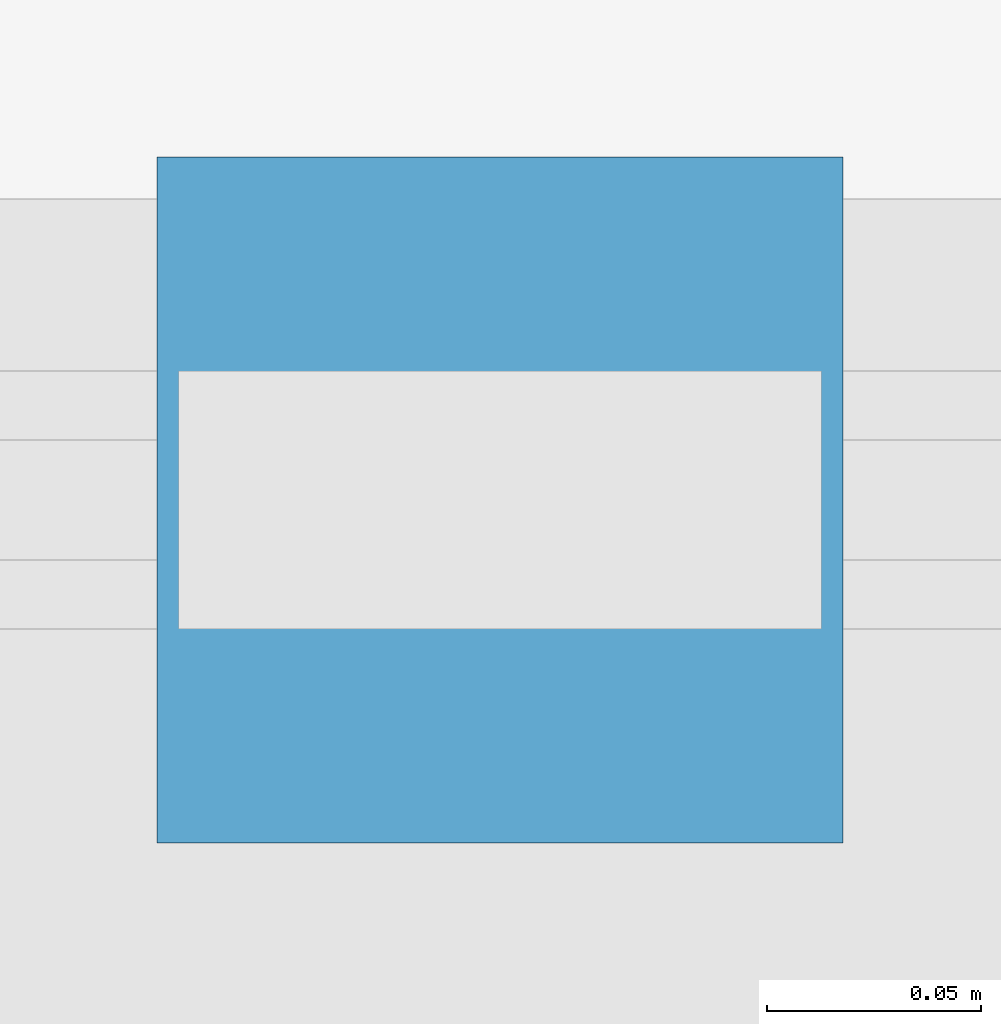
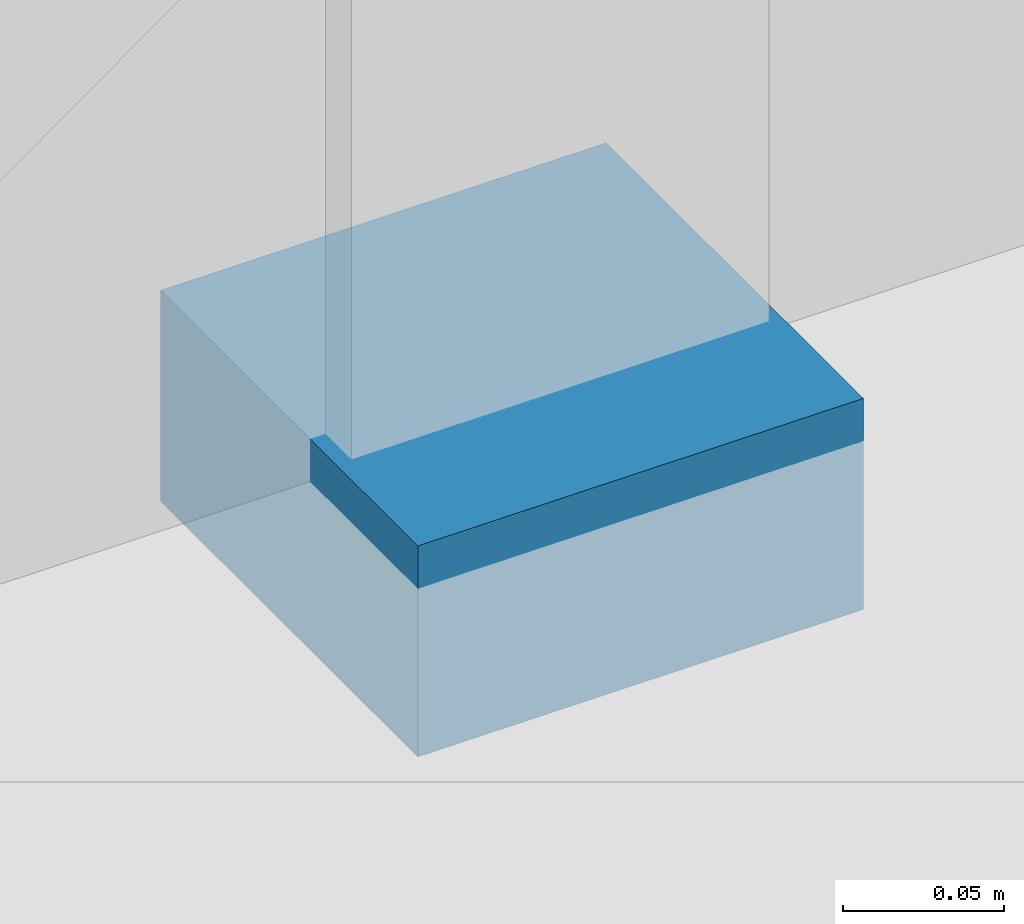
# One storey, part 65 of 74: 1 discrete accessory.
"""IFC4 building model written with IfcOpenShell, lengths in metres."""

from ifc_helpers import new_model, si_unit, direction, frame, origin, origin_2d, place, context, subcontext, project, spatial, rectangle, extrude, material, layer, layer_set, type_object, element, save


model = new_model("IFC4")

# Units and contexts
model_context = context("Model", 3, precision=1e-05, world=origin(), true_north=direction((0.0, 1.0)))
body_context = subcontext(model_context, "Body", "Model", "MODEL_VIEW")
ifc_project = project(units=[si_unit("LENGTHUNIT", "METRE"), si_unit("AREAUNIT", "SQUARE_METRE"), si_unit("VOLUMEUNIT", "CUBIC_METRE"), si_unit("PLANEANGLEUNIT", "RADIAN"), si_unit("MASSUNIT", "GRAM", prefix="KILO")], contexts=[model_context])

# Site, building, storey
site_placement = place(None, origin())
site = spatial("IfcSite", under=ifc_project, at=site_placement, CompositionType="ELEMENT")
building_placement = place(site_placement, origin())
building = spatial("IfcBuilding", under=site, at=building_placement, Name="Qaldarim Faculty of Natural and Applied Sciences", CompositionType="ELEMENT")
storey_placement = place(building_placement, frame((0.0, 0.0, 14.39990234375)))
storey = spatial("IfcBuildingStorey", under=building, at=storey_placement, Name="L03", CompositionType="ELEMENT", Elevation=14.39990234375)

# Discrete accessory
ifc_material = material(Name="Architectural stainless steel 316", Category="steel")
ifc_layer = layer(ifc_material, 0.080078125)
ifc_layer_set = layer_set([ifc_layer], Name="Architectural stainless steel 316")
discrete_accessory_type = type_object("IfcDiscreteAccessoryType", Name="FacadeBracket-SS120", PredefinedType="BRACKET", material=ifc_layer_set)
discrete_accessory_placement = place(storey_placement, frame((174.89990234375, 100.8798828125, 3.550048828125), z_axis=(0.0, 0.0, 1.0), x_axis=(1.0, 0.0, 0.0)))
element("IfcDiscreteAccessory", 1, at=discrete_accessory_placement, inside=storey, type_object=discrete_accessory_type, Name="Solar louvre support bracket SHD-L03-S-X27Y13", PredefinedType="BRACKET", context=body_context, shape_type="SweptSolid", body=[
    extrude(rectangle(XDim=0.159912109375, YDim=0.159912109375, at=origin_2d()), origin(), (0.0, 0.0, 1.0), 0.080078125),
])

save(model, "model.ifc")
